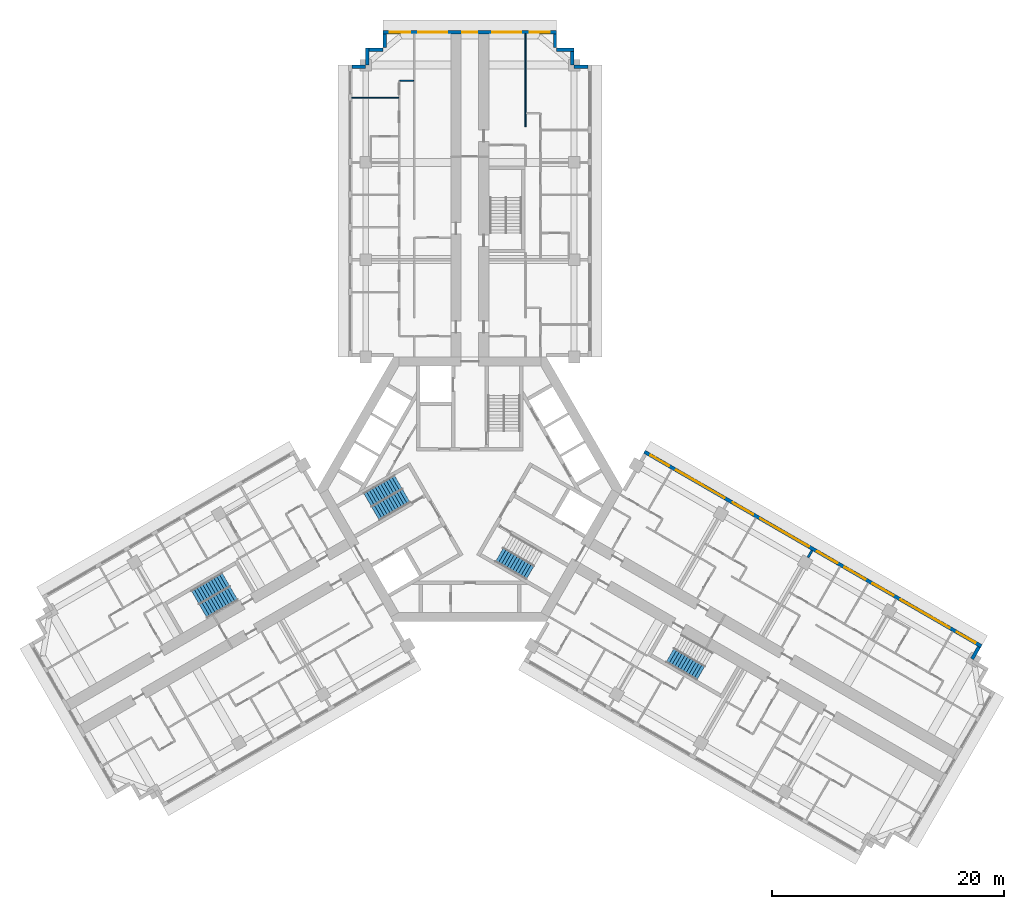
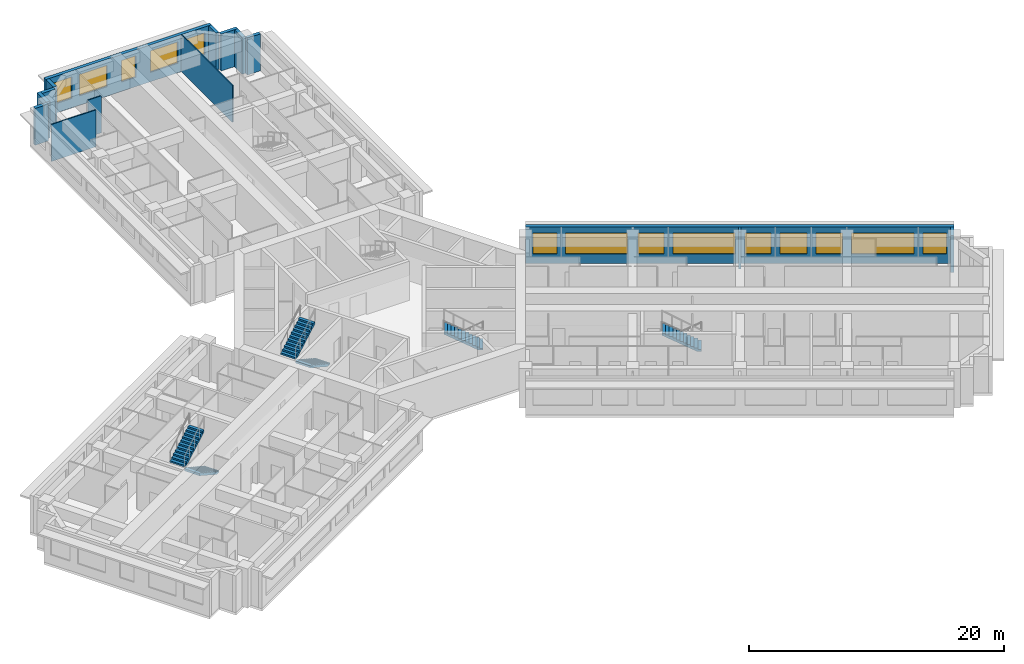
# One storey, part 11 of 13: 15 walls, 14 windows, 6 stair flights, 14 openings, 4 elements without a shape of their own.
"""IFC4 building model written with IfcOpenShell, lengths in metres."""

from ifc_helpers import new_model, si_unit, direction, frame, frame_2d, origin, place, context, subcontext, project, spatial, polyline, rectangle, outline, extrude, material, layer, layer_set, type_object, element, fill, aggregate, save


model = new_model("IFC4")

# Units and contexts
model_context = context("Model", 3, precision=1e-05, world=origin(), true_north=direction((0.0, 1.0)))
body_context = subcontext(model_context, "Body", "Model", "MODEL_VIEW")
ifc_project = project(units=[si_unit("LENGTHUNIT", "METRE"), si_unit("AREAUNIT", "SQUARE_METRE"), si_unit("VOLUMEUNIT", "CUBIC_METRE"), si_unit("PLANEANGLEUNIT", "RADIAN"), si_unit("MASSUNIT", "GRAM", prefix="KILO")], contexts=[model_context])

# Site, building, storey
site_placement = place(None, origin())
site = spatial("IfcSite", under=ifc_project, at=site_placement, CompositionType="ELEMENT")
building_placement = place(site_placement, origin())
building = spatial("IfcBuilding", under=site, at=building_placement, Name="Impinga Residences", CompositionType="ELEMENT")
storey_placement = place(building_placement, frame((0.0, 0.0, 151.0)))
storey = spatial("IfcBuildingStorey", under=building, at=storey_placement, Name="L37", CompositionType="ELEMENT", Elevation=151.0)

# Walls
ifc_material_1 = material(Name="Terracotta rainscreen on blockwork", Category="masonry")
ifc_layer_1 = layer(ifc_material_1, 0.300048828125)
ifc_layer_set_1 = layer_set([ifc_layer_1], Name="EW1 external wall, terracotta rainscreen on blockwork 300")
wall_type_1 = type_object("IfcWallType", Name="EW1 external wall, terracotta rainscreen on blockwork 300", PredefinedType="SOLIDWALL", material=ifc_layer_set_1)
wall_1_placement = place(storey_placement, frame((43.968505859375, -13.607421875, 0.0), z_axis=(0.0, 0.0, 1.0), x_axis=(-0.500029051137, -0.866008630453, 0.0)))
element("IfcWall", 1, at=wall_1_placement, inside=storey, type_object=wall_type_1, Name="External wall EW1 L37", PredefinedType="SOLIDWALL", context=body_context, shape_type="SweptSolid", body=[
    extrude(rectangle(XDim=1.19482421875, YDim=0.300048828125, at=frame_2d((0.597412109375, 0.0))), origin(), (0.0, 0.0, 1.0), 3.530029296875),
])
wall_2_placement = place(storey_placement, frame((-10.199951171875, 36.4814453125, 0.0), z_axis=(0.0, 0.0, 1.0), x_axis=(1.0, 0.0, 0.0)))
element("IfcWall", 2, at=wall_2_placement, inside=storey, type_object=wall_type_1, Name="External wall EW1 L37", PredefinedType="SOLIDWALL", context=body_context, shape_type="SweptSolid", body=[
    extrude(rectangle(XDim=1.199951171875, YDim=0.300048828125, at=frame_2d((0.60009765625, 0.0))), origin(), (0.0, 0.0, 1.0), 3.530029296875),
])
wall_3_placement = place(storey_placement, frame((-8.85009765625, 36.636474609375, 0.0), z_axis=(0.0, 0.0, 1.0), x_axis=(0.0, 1.0, 0.0)))
element("IfcWall", 3, at=wall_3_placement, inside=storey, type_object=wall_type_1, Name="External wall EW1 L37", PredefinedType="SOLIDWALL", context=body_context, shape_type="SweptSolid", body=[
    extrude(rectangle(XDim=1.4951171875, YDim=0.300048828125, at=frame_2d((0.74755859375, 0.0))), origin(), (0.0, 0.0, 1.0), 3.530029296875),
])
wall_4_placement = place(storey_placement, frame((-8.699951171875, 37.9814453125, 0.0), z_axis=(0.0, 0.0, 1.0), x_axis=(1.0, 0.0, 0.0)))
element("IfcWall", 4, at=wall_4_placement, inside=storey, type_object=wall_type_1, Name="External wall EW1 L37", PredefinedType="SOLIDWALL", context=body_context, shape_type="SweptSolid", body=[
    extrude(rectangle(XDim=1.199951171875, YDim=0.300048828125, at=frame_2d((0.60009765625, 0.0))), origin(), (0.0, 0.0, 1.0), 3.530029296875),
])
wall_5_placement = place(storey_placement, frame((-7.35009765625, 38.136474609375, 0.0), z_axis=(0.0, 0.0, 1.0), x_axis=(0.0, 1.0, 0.0)))
element("IfcWall", 5, at=wall_5_placement, inside=storey, type_object=wall_type_1, Name="External wall EW1 L37", PredefinedType="SOLIDWALL", context=body_context, shape_type="SweptSolid", body=[
    extrude(rectangle(XDim=1.195068359375, YDim=0.300048828125, at=frame_2d((0.59765625, 0.0))), origin(), (0.0, 0.0, 1.0), 3.530029296875),
])

# Wall, openings, windows
wall_6_placement = place(storey_placement, frame((-7.5, 39.4814453125, 0.0), z_axis=(0.0, 0.0, 1.0), x_axis=(1.0, 0.0, 0.0)))
wall_6 = element("IfcWall", 6, at=wall_6_placement, inside=storey, type_object=wall_type_1, Name="External wall EW1 L37", PredefinedType="SOLIDWALL", context=body_context, shape_type="SweptSolid", body=[
    extrude(rectangle(XDim=15.0, YDim=0.300048828125, at=frame_2d((7.5, 0.0))), origin(), (0.0, 0.0, 1.0), 3.530029296875),
])
opening_1_placement = place(wall_6_placement, frame((0.60009765625, 0.0, 0.89990234375)))
opening_1 = element("IfcOpeningElement", 7, at=opening_1_placement, cuts=wall_6, Name="Opening W1", PredefinedType="OPENING", context=body_context, shape_type="SweptSolid", body=[
    extrude(rectangle(XDim=1.75, YDim=2.050048828125, at=frame_2d((0.875, 1.02490234375))), frame((0.0, 0.159912109375, 0.0), z_axis=(0.0, -1.0, 0.0), x_axis=(1.0, 0.0, 0.0)), (0.0, 0.0, 1.0), 0.320068359375),
])
opening_2_placement = place(wall_6_placement, frame((3.050048828125, 0.0, 0.89990234375)))
opening_2 = element("IfcOpeningElement", 8, at=opening_2_placement, cuts=wall_6, Name="Opening W2", PredefinedType="OPENING", context=body_context, shape_type="SweptSolid", body=[
    extrude(rectangle(XDim=2.5, YDim=2.050048828125, at=frame_2d((1.25, 1.02490234375))), frame((0.0, 0.159912109375, 0.0), z_axis=(0.0, -1.0, 0.0), x_axis=(1.0, 0.0, 0.0)), (0.0, 0.0, 1.0), 0.320068359375),
])
opening_3_placement = place(wall_6_placement, frame((6.85009765625, 0.0, 0.89990234375)))
opening_3 = element("IfcOpeningElement", 9, at=opening_3_placement, cuts=wall_6, Name="Opening WE1", PredefinedType="OPENING", context=body_context, shape_type="SweptSolid", body=[
    extrude(rectangle(XDim=1.300048828125, YDim=2.050048828125, at=frame_2d((0.64990234375, 1.02490234375))), frame((0.0, 0.159912109375, 0.0), z_axis=(0.0, -1.0, 0.0), x_axis=(1.0, 0.0, 0.0)), (0.0, 0.0, 1.0), 0.320068359375),
])
opening_4_placement = place(wall_6_placement, frame((9.449951171875, 0.0, 0.89990234375)))
opening_4 = element("IfcOpeningElement", 10, at=opening_4_placement, cuts=wall_6, Name="Opening W2", PredefinedType="OPENING", context=body_context, shape_type="SweptSolid", body=[
    extrude(rectangle(XDim=2.5, YDim=2.050048828125, at=frame_2d((1.25, 1.02490234375))), frame((0.0, 0.159912109375, 0.0), z_axis=(0.0, -1.0, 0.0), x_axis=(1.0, 0.0, 0.0)), (0.0, 0.0, 1.0), 0.320068359375),
])
opening_5_placement = place(wall_6_placement, frame((12.64990234375, 0.0, 0.89990234375)))
opening_5 = element("IfcOpeningElement", 11, at=opening_5_placement, cuts=wall_6, Name="Opening W1", PredefinedType="OPENING", context=body_context, shape_type="SweptSolid", body=[
    extrude(rectangle(XDim=1.75, YDim=2.050048828125, at=frame_2d((0.875, 1.02490234375))), frame((0.0, 0.159912109375, 0.0), z_axis=(0.0, -1.0, 0.0), x_axis=(1.0, 0.0, 0.0)), (0.0, 0.0, 1.0), 0.320068359375),
])
ifc_material_2 = material(Name="Aluminium window, clear double glazing", Category="aluminium")
window_type_1 = type_object("IfcWindowType", Name="W1 ribbon window 1750x2050", PartitioningType="SINGLE_PANEL", PredefinedType="WINDOW", material=ifc_material_2)
window_1_placement = place(opening_1_placement, origin())
window_1 = element("IfcWindow", 12, at=window_1_placement, inside=storey, type_object=window_type_1, Name="Window L37", OverallHeight=2.050048828125, OverallWidth=1.75, PartitioningType="SINGLE_PANEL", PredefinedType="WINDOW", context=body_context, shape_type="SweptSolid", body=[
    extrude(rectangle(XDim=1.75, YDim=2.050048828125, at=frame_2d((0.875, 1.02490234375))), frame((0.0, 0.030029296875, 0.0), z_axis=(0.0, -1.0, 0.0), x_axis=(1.0, 0.0, 0.0)), (0.0, 0.0, 1.0), 0.06005859375),
])
fill(opening_1, window_1)
window_2_placement = place(opening_5_placement, origin())
window_2 = element("IfcWindow", 13, at=window_2_placement, inside=storey, type_object=window_type_1, Name="Window L37", OverallHeight=2.050048828125, OverallWidth=1.75, PartitioningType="SINGLE_PANEL", PredefinedType="WINDOW", context=body_context, shape_type="SweptSolid", body=[
    extrude(rectangle(XDim=1.75, YDim=2.050048828125, at=frame_2d((0.875, 1.02490234375))), frame((0.0, 0.030029296875, 0.0), z_axis=(0.0, -1.0, 0.0), x_axis=(1.0, 0.0, 0.0)), (0.0, 0.0, 1.0), 0.06005859375),
])
fill(opening_5, window_2)
window_type_2 = type_object("IfcWindowType", Name="W2 ribbon window 2500x2050", PartitioningType="SINGLE_PANEL", PredefinedType="WINDOW", material=ifc_material_2)
window_3_placement = place(opening_2_placement, origin())
window_3 = element("IfcWindow", 14, at=window_3_placement, inside=storey, type_object=window_type_2, Name="Window L37", OverallHeight=2.050048828125, OverallWidth=2.5, PartitioningType="SINGLE_PANEL", PredefinedType="WINDOW", context=body_context, shape_type="SweptSolid", body=[
    extrude(rectangle(XDim=2.5, YDim=2.050048828125, at=frame_2d((1.25, 1.02490234375))), frame((0.0, 0.030029296875, 0.0), z_axis=(0.0, -1.0, 0.0), x_axis=(1.0, 0.0, 0.0)), (0.0, 0.0, 1.0), 0.06005859375),
])
fill(opening_2, window_3)
window_4_placement = place(opening_4_placement, origin())
window_4 = element("IfcWindow", 15, at=window_4_placement, inside=storey, type_object=window_type_2, Name="Window L37", OverallHeight=2.050048828125, OverallWidth=2.5, PartitioningType="SINGLE_PANEL", PredefinedType="WINDOW", context=body_context, shape_type="SweptSolid", body=[
    extrude(rectangle(XDim=2.5, YDim=2.050048828125, at=frame_2d((1.25, 1.02490234375))), frame((0.0, 0.030029296875, 0.0), z_axis=(0.0, -1.0, 0.0), x_axis=(1.0, 0.0, 0.0)), (0.0, 0.0, 1.0), 0.06005859375),
])
fill(opening_4, window_4)
window_type_3 = type_object("IfcWindowType", Name="WE1 corridor window 1300x2050", PartitioningType="SINGLE_PANEL", PredefinedType="WINDOW", material=ifc_material_2)
window_5_placement = place(opening_3_placement, origin())
window_5 = element("IfcWindow", 16, at=window_5_placement, inside=storey, type_object=window_type_3, Name="Window L37", OverallHeight=2.050048828125, OverallWidth=1.300048828125, PartitioningType="SINGLE_PANEL", PredefinedType="WINDOW", context=body_context, shape_type="SweptSolid", body=[
    extrude(rectangle(XDim=1.300048828125, YDim=2.050048828125, at=frame_2d((0.64990234375, 1.02490234375))), frame((0.0, 0.030029296875, 0.0), z_axis=(0.0, -1.0, 0.0), x_axis=(1.0, 0.0, 0.0)), (0.0, 0.0, 1.0), 0.06005859375),
])
fill(opening_3, window_5)

# Walls
wall_7_placement = place(storey_placement, frame((7.35009765625, 39.33154296875, 0.0), z_axis=(0.0, 0.0, 1.0), x_axis=(0.0, -1.0, 0.0)))
element("IfcWall", 17, at=wall_7_placement, inside=storey, type_object=wall_type_1, Name="External wall EW1 L37", PredefinedType="SOLIDWALL", context=body_context, shape_type="SweptSolid", body=[
    extrude(rectangle(XDim=1.195068359375, YDim=0.300048828125, at=frame_2d((0.59765625, 0.0))), origin(), (0.0, 0.0, 1.0), 3.530029296875),
])
wall_8_placement = place(storey_placement, frame((7.5, 37.9814453125, 0.0), z_axis=(0.0, 0.0, 1.0), x_axis=(1.0, 0.0, 0.0)))
element("IfcWall", 18, at=wall_8_placement, inside=storey, type_object=wall_type_1, Name="External wall EW1 L37", PredefinedType="SOLIDWALL", context=body_context, shape_type="SweptSolid", body=[
    extrude(rectangle(XDim=1.5, YDim=0.300048828125, at=frame_2d((0.75, 0.0))), origin(), (0.0, 0.0, 1.0), 3.530029296875),
])
wall_9_placement = place(storey_placement, frame((8.85009765625, 37.83154296875, 0.0), z_axis=(0.0, 0.0, 1.0), x_axis=(0.0, -1.0, 0.0)))
element("IfcWall", 19, at=wall_9_placement, inside=storey, type_object=wall_type_1, Name="External wall EW1 L37", PredefinedType="SOLIDWALL", context=body_context, shape_type="SweptSolid", body=[
    extrude(rectangle(XDim=1.199951171875, YDim=0.300048828125, at=frame_2d((0.60009765625, 0.0))), origin(), (0.0, 0.0, 1.0), 3.530029296875),
])
wall_10_placement = place(storey_placement, frame((9.0048828125, 36.4814453125, 0.0), z_axis=(0.0, 0.0, 1.0), x_axis=(1.0, 0.0, 0.0)))
element("IfcWall", 20, at=wall_10_placement, inside=storey, type_object=wall_type_1, Name="External wall EW1 L37", PredefinedType="SOLIDWALL", context=body_context, shape_type="SweptSolid", body=[
    extrude(rectangle(XDim=1.195068359375, YDim=0.300048828125, at=frame_2d((0.59765625, 0.0))), origin(), (0.0, 0.0, 1.0), 3.530029296875),
])

# Wall, openings, windows
wall_11_placement = place(storey_placement, frame((15.074951171875, 3.24755859375, 0.0), z_axis=(0.0, 0.0, 1.0), x_axis=(0.866024291668, -0.500001926238, 0.0)))
wall_11 = element("IfcWall", 21, at=wall_11_placement, inside=storey, type_object=wall_type_1, Name="External wall EW1 L37", PredefinedType="SOLIDWALL", context=body_context, shape_type="SweptSolid", body=[
    extrude(rectangle(XDim=33.599853515625, YDim=0.300048828125, at=frame_2d((16.7998046875, 0.0))), origin(), (0.0, 0.0, 1.0), 3.530029296875),
])
opening_6_placement = place(wall_11_placement, frame((0.60009765625, 0.0, 0.89990234375)))
opening_6 = element("IfcOpeningElement", 22, at=opening_6_placement, cuts=wall_11, Name="Opening W15", PredefinedType="OPENING", context=body_context, shape_type="SweptSolid", body=[
    extrude(rectangle(XDim=1.85009765625, YDim=2.050048828125, at=frame_2d((0.925048828125, 1.02490234375))), frame((0.0, 0.159912109375, 0.0), z_axis=(0.0, -1.0, 0.0), x_axis=(1.0, 0.0, 0.0)), (0.0, 0.0, 1.0), 0.320068359375),
])
opening_7_placement = place(wall_11_placement, frame((3.14990234375, 0.0, 0.89990234375)))
opening_7 = element("IfcOpeningElement", 23, at=opening_7_placement, cuts=wall_11, Name="Opening W6", PredefinedType="OPENING", context=body_context, shape_type="SweptSolid", body=[
    extrude(rectangle(XDim=4.85009765625, YDim=2.050048828125, at=frame_2d((2.425048828125, 1.02490234375))), frame((0.0, 0.159912109375, 0.0), z_axis=(0.0, -1.0, 0.0), x_axis=(1.0, 0.0, 0.0)), (0.0, 0.0, 1.0), 0.320068359375),
])
opening_8_placement = place(wall_11_placement, frame((8.800048828125, 0.0, 0.89990234375)))
opening_8 = element("IfcOpeningElement", 24, at=opening_8_placement, cuts=wall_11, Name="Opening W14", PredefinedType="OPENING", context=body_context, shape_type="SweptSolid", body=[
    extrude(rectangle(XDim=2.050048828125, YDim=2.050048828125, at=frame_2d((1.02490234375, 1.02490234375))), frame((0.0, 0.159912109375, 0.0), z_axis=(0.0, -1.0, 0.0), x_axis=(1.0, 0.0, 0.0)), (0.0, 0.0, 1.0), 0.320068359375),
])
opening_9_placement = place(wall_11_placement, frame((11.550048828125, 0.0, 0.89990234375)))
opening_9 = element("IfcOpeningElement", 25, at=opening_9_placement, cuts=wall_11, Name="Opening W6", PredefinedType="OPENING", context=body_context, shape_type="SweptSolid", body=[
    extrude(rectangle(XDim=4.85009765625, YDim=2.050048828125, at=frame_2d((2.425048828125, 1.02490234375))), frame((0.0, 0.159912109375, 0.0), z_axis=(0.0, -1.0, 0.0), x_axis=(1.0, 0.0, 0.0)), (0.0, 0.0, 1.0), 0.320068359375),
])
opening_10_placement = place(wall_11_placement, frame((17.199951171875, 0.0, 0.89990234375)))
opening_10 = element("IfcOpeningElement", 26, at=opening_10_placement, cuts=wall_11, Name="Opening W14", PredefinedType="OPENING", context=body_context, shape_type="SweptSolid", body=[
    extrude(rectangle(XDim=2.050048828125, YDim=2.050048828125, at=frame_2d((1.02490234375, 1.02490234375))), frame((0.0, 0.159912109375, 0.0), z_axis=(0.0, -1.0, 0.0), x_axis=(1.0, 0.0, 0.0)), (0.0, 0.0, 1.0), 0.320068359375),
])
opening_11_placement = place(wall_11_placement, frame((19.949951171875, 0.0, 0.89990234375)))
opening_11 = element("IfcOpeningElement", 27, at=opening_11_placement, cuts=wall_11, Name="Opening W9", PredefinedType="OPENING", context=body_context, shape_type="SweptSolid", body=[
    extrude(rectangle(XDim=2.10009765625, YDim=2.050048828125, at=frame_2d((1.050048828125, 1.02490234375))), frame((0.0, 0.159912109375, 0.0), z_axis=(0.0, -1.0, 0.0), x_axis=(1.0, 0.0, 0.0)), (0.0, 0.0, 1.0), 0.320068359375),
])
opening_12_placement = place(wall_11_placement, frame((22.75, 0.0, 0.89990234375)))
opening_12 = element("IfcOpeningElement", 28, at=opening_12_placement, cuts=wall_11, Name="Opening W9", PredefinedType="OPENING", context=body_context, shape_type="SweptSolid", body=[
    extrude(rectangle(XDim=2.10009765625, YDim=2.050048828125, at=frame_2d((1.050048828125, 1.02490234375))), frame((0.0, 0.159912109375, 0.0), z_axis=(0.0, -1.0, 0.0), x_axis=(1.0, 0.0, 0.0)), (0.0, 0.0, 1.0), 0.320068359375),
])
opening_13_placement = place(wall_11_placement, frame((25.550048828125, 0.0, 0.89990234375)))
opening_13 = element("IfcOpeningElement", 29, at=opening_13_placement, cuts=wall_11, Name="Opening W16", PredefinedType="OPENING", context=body_context, shape_type="SweptSolid", body=[
    extrude(rectangle(XDim=4.89990234375, YDim=2.050048828125, at=frame_2d((2.449951171875, 1.02490234375))), frame((0.0, 0.159912109375, 0.0), z_axis=(0.0, -1.0, 0.0), x_axis=(1.0, 0.0, 0.0)), (0.0, 0.0, 1.0), 0.320068359375),
])
opening_14_placement = place(wall_11_placement, frame((31.14990234375, 0.0, 0.89990234375)))
opening_14 = element("IfcOpeningElement", 30, at=opening_14_placement, cuts=wall_11, Name="Opening W15", PredefinedType="OPENING", context=body_context, shape_type="SweptSolid", body=[
    extrude(rectangle(XDim=1.85009765625, YDim=2.050048828125, at=frame_2d((0.925048828125, 1.02490234375))), frame((0.0, 0.159912109375, 0.0), z_axis=(0.0, -1.0, 0.0), x_axis=(1.0, 0.0, 0.0)), (0.0, 0.0, 1.0), 0.320068359375),
])
window_type_4 = type_object("IfcWindowType", Name="W14 ribbon window 2050x2050", PartitioningType="SINGLE_PANEL", PredefinedType="WINDOW", material=ifc_material_2)
window_6_placement = place(opening_8_placement, origin())
window_6 = element("IfcWindow", 31, at=window_6_placement, inside=storey, type_object=window_type_4, Name="Window L37", OverallHeight=2.050048828125, OverallWidth=2.050048828125, PartitioningType="SINGLE_PANEL", PredefinedType="WINDOW", context=body_context, shape_type="SweptSolid", body=[
    extrude(rectangle(XDim=2.050048828125, YDim=2.050048828125, at=frame_2d((1.02490234375, 1.02490234375))), frame((0.0, 0.030029296875, 0.0), z_axis=(0.0, -1.0, 0.0), x_axis=(1.0, 0.0, 0.0)), (0.0, 0.0, 1.0), 0.06005859375),
])
fill(opening_8, window_6)
window_7_placement = place(opening_10_placement, origin())
window_7 = element("IfcWindow", 32, at=window_7_placement, inside=storey, type_object=window_type_4, Name="Window L37", OverallHeight=2.050048828125, OverallWidth=2.050048828125, PartitioningType="SINGLE_PANEL", PredefinedType="WINDOW", context=body_context, shape_type="SweptSolid", body=[
    extrude(rectangle(XDim=2.050048828125, YDim=2.050048828125, at=frame_2d((1.02490234375, 1.02490234375))), frame((0.0, 0.030029296875, 0.0), z_axis=(0.0, -1.0, 0.0), x_axis=(1.0, 0.0, 0.0)), (0.0, 0.0, 1.0), 0.06005859375),
])
fill(opening_10, window_7)
window_type_5 = type_object("IfcWindowType", Name="W15 ribbon window 1850x2050", PartitioningType="SINGLE_PANEL", PredefinedType="WINDOW", material=ifc_material_2)
window_8_placement = place(opening_6_placement, origin())
window_8 = element("IfcWindow", 33, at=window_8_placement, inside=storey, type_object=window_type_5, Name="Window L37", OverallHeight=2.050048828125, OverallWidth=1.85009765625, PartitioningType="SINGLE_PANEL", PredefinedType="WINDOW", context=body_context, shape_type="SweptSolid", body=[
    extrude(rectangle(XDim=1.85009765625, YDim=2.050048828125, at=frame_2d((0.925048828125, 1.02490234375))), frame((0.0, 0.030029296875, 0.0), z_axis=(0.0, -1.0, 0.0), x_axis=(1.0, 0.0, 0.0)), (0.0, 0.0, 1.0), 0.06005859375),
])
fill(opening_6, window_8)
window_9_placement = place(opening_14_placement, origin())
window_9 = element("IfcWindow", 34, at=window_9_placement, inside=storey, type_object=window_type_5, Name="Window L37", OverallHeight=2.050048828125, OverallWidth=1.85009765625, PartitioningType="SINGLE_PANEL", PredefinedType="WINDOW", context=body_context, shape_type="SweptSolid", body=[
    extrude(rectangle(XDim=1.85009765625, YDim=2.050048828125, at=frame_2d((0.925048828125, 1.02490234375))), frame((0.0, 0.030029296875, 0.0), z_axis=(0.0, -1.0, 0.0), x_axis=(1.0, 0.0, 0.0)), (0.0, 0.0, 1.0), 0.06005859375),
])
fill(opening_14, window_9)
window_type_6 = type_object("IfcWindowType", Name="W16 ribbon window 4900x2050", PartitioningType="SINGLE_PANEL", PredefinedType="WINDOW", material=ifc_material_2)
window_10_placement = place(opening_13_placement, origin())
window_10 = element("IfcWindow", 35, at=window_10_placement, inside=storey, type_object=window_type_6, Name="Window L37", OverallHeight=2.050048828125, OverallWidth=4.89990234375, PartitioningType="SINGLE_PANEL", PredefinedType="WINDOW", context=body_context, shape_type="SweptSolid", body=[
    extrude(rectangle(XDim=4.89990234375, YDim=2.050048828125, at=frame_2d((2.449951171875, 1.02490234375))), frame((0.0, 0.030029296875, 0.0), z_axis=(0.0, -1.0, 0.0), x_axis=(1.0, 0.0, 0.0)), (0.0, 0.0, 1.0), 0.06005859375),
])
fill(opening_13, window_10)
window_type_7 = type_object("IfcWindowType", Name="W6 ribbon window 4850x2050", PartitioningType="SINGLE_PANEL", PredefinedType="WINDOW", material=ifc_material_2)
window_11_placement = place(opening_7_placement, origin())
window_11 = element("IfcWindow", 36, at=window_11_placement, inside=storey, type_object=window_type_7, Name="Window L37", OverallHeight=2.050048828125, OverallWidth=4.85009765625, PartitioningType="SINGLE_PANEL", PredefinedType="WINDOW", context=body_context, shape_type="SweptSolid", body=[
    extrude(rectangle(XDim=4.85009765625, YDim=2.050048828125, at=frame_2d((2.425048828125, 1.02490234375))), frame((0.0, 0.030029296875, 0.0), z_axis=(0.0, -1.0, 0.0), x_axis=(1.0, 0.0, 0.0)), (0.0, 0.0, 1.0), 0.06005859375),
])
fill(opening_7, window_11)
window_12_placement = place(opening_9_placement, origin())
window_12 = element("IfcWindow", 37, at=window_12_placement, inside=storey, type_object=window_type_7, Name="Window L37", OverallHeight=2.050048828125, OverallWidth=4.85009765625, PartitioningType="SINGLE_PANEL", PredefinedType="WINDOW", context=body_context, shape_type="SweptSolid", body=[
    extrude(rectangle(XDim=4.85009765625, YDim=2.050048828125, at=frame_2d((2.425048828125, 1.02490234375))), frame((0.0, 0.030029296875, 0.0), z_axis=(0.0, -1.0, 0.0), x_axis=(1.0, 0.0, 0.0)), (0.0, 0.0, 1.0), 0.06005859375),
])
fill(opening_9, window_12)
window_type_8 = type_object("IfcWindowType", Name="W9 ribbon window 2100x2050", PartitioningType="SINGLE_PANEL", PredefinedType="WINDOW", material=ifc_material_2)
window_13_placement = place(opening_11_placement, origin())
window_13 = element("IfcWindow", 38, at=window_13_placement, inside=storey, type_object=window_type_8, Name="Window L37", OverallHeight=2.050048828125, OverallWidth=2.10009765625, PartitioningType="SINGLE_PANEL", PredefinedType="WINDOW", context=body_context, shape_type="SweptSolid", body=[
    extrude(rectangle(XDim=2.10009765625, YDim=2.050048828125, at=frame_2d((1.050048828125, 1.02490234375))), frame((0.0, 0.030029296875, 0.0), z_axis=(0.0, -1.0, 0.0), x_axis=(1.0, 0.0, 0.0)), (0.0, 0.0, 1.0), 0.06005859375),
])
fill(opening_11, window_13)
window_14_placement = place(opening_12_placement, origin())
window_14 = element("IfcWindow", 39, at=window_14_placement, inside=storey, type_object=window_type_8, Name="Window L37", OverallHeight=2.050048828125, OverallWidth=2.10009765625, PartitioningType="SINGLE_PANEL", PredefinedType="WINDOW", context=body_context, shape_type="SweptSolid", body=[
    extrude(rectangle(XDim=2.10009765625, YDim=2.050048828125, at=frame_2d((1.050048828125, 1.02490234375))), frame((0.0, 0.030029296875, 0.0), z_axis=(0.0, -1.0, 0.0), x_axis=(1.0, 0.0, 0.0)), (0.0, 0.0, 1.0), 0.06005859375),
])
fill(opening_12, window_14)

# Walls
ifc_material_3 = material(Name="Gypsum board on steel studs", Category="steel")
ifc_layer_2 = layer(ifc_material_3, 0.10009765625)
ifc_layer_set_2 = layer_set([ifc_layer_2], Name="Gypsum board on steel studs")
wall_type_2 = type_object("IfcWallType", Name="IP1 partition 100", PredefinedType="PARTITIONING", material=ifc_layer_set_2)
wall_12_placement = place(storey_placement, frame((-4.85009765625, 35.281494140625, 0.0), z_axis=(0.0, 0.0, 1.0), x_axis=(-1.0, 0.0, 0.0)))
element("IfcWall", 40, at=wall_12_placement, inside=storey, type_object=wall_type_2, Name="Partition L37-NA2:SE1", PredefinedType="PARTITIONING", context=body_context, shape_type="SweptSolid", body=[
    extrude(rectangle(XDim=1.199951171875, YDim=0.10009765625, at=frame_2d((0.60009765625, 0.0))), origin(), (0.0, 0.0, 1.0), 3.530029296875),
])
wall_13_placement = place(storey_placement, frame((-6.14990234375, 33.83154296875, 0.0), z_axis=(0.0, 0.0, 1.0), x_axis=(-1.0, 0.0, 0.0)))
element("IfcWall", 41, at=wall_13_placement, inside=storey, type_object=wall_type_2, Name="Partition L37-NA2:OB4", PredefinedType="PARTITIONING", context=body_context, shape_type="SweptSolid", body=[
    extrude(rectangle(XDim=4.050048828125, YDim=0.10009765625, at=frame_2d((2.02490234375, 0.0))), origin(), (0.0, 0.0, 1.0), 3.530029296875),
])
wall_14_placement = place(storey_placement, frame((4.800048828125, 31.33154296875, 0.0), z_axis=(0.0, 0.0, 1.0), x_axis=(0.0, 1.0, 0.0)))
element("IfcWall", 42, at=wall_14_placement, inside=storey, type_object=wall_type_2, Name="Partition L37-NF2:DIV2", PredefinedType="PARTITIONING", context=body_context, shape_type="SweptSolid", body=[
    extrude(rectangle(XDim=8.0, YDim=0.10009765625, at=frame_2d((4.0, 0.0))), origin(), (0.0, 0.0, 1.0), 3.530029296875),
])
ifc_material_4 = material(Name="Concrete blockwork", Category="masonry")
ifc_layer_3 = layer(ifc_material_4, 0.199951171875)
ifc_layer_set_3 = layer_set([ifc_layer_3], Name="PW1 party wall between apartments 200")
wall_type_3 = type_object("IfcWallType", Name="PW1 party wall between apartments 200", PredefinedType="SOLIDWALL", material=ifc_layer_set_3)
wall_15_placement = place(storey_placement, frame((29.19921875, -5.888427734375, 0.0), z_axis=(0.0, 0.0, 1.0), x_axis=(0.500114896893, 0.865959057869, 0.0)))
element("IfcWall", 43, at=wall_15_placement, inside=storey, type_object=wall_type_3, Name="Party wall between apartments L37-EA2:PARTYb", PredefinedType="SOLIDWALL", context=body_context, shape_type="SweptSolid", body=[
    extrude(rectangle(XDim=0.699951171875, YDim=0.199951171875, at=frame_2d((0.35009765625, 0.0))), origin(), (0.0, 0.0, 1.0), 3.530029296875),
])

# Stair, stair flights
ifc_material_5 = material(Name="Concrete C40/50", Category="concrete")
stair_type_1 = type_object("IfcStairType", Name="STR core stair 3750 storey, 24 risers", PredefinedType="HALF_TURN_STAIR", material=ifc_material_5)
stair_1_placement = place(storey_placement, origin())
stair_1 = element("IfcStair", 44, at=stair_1_placement, inside=storey, type_object=stair_type_1, Name="Stair ST2 L37", PredefinedType="HALF_TURN_STAIR")
stair_flight_type = type_object("IfcStairFlightType", Name="SF 12 risers of 156", PredefinedType="STRAIGHT", material=ifc_material_5)
stair_flight_1_placement = place(storey_placement, frame((-5.49365234375, -0.544677734375, 0.0), z_axis=(0.0, 0.0, 1.0), x_axis=(-0.866025403784, -0.5, 0.0)))
stair_flight_1 = element("IfcStairFlight", 45, at=stair_flight_1_placement, type_object=stair_flight_type, Name="ST2 flight 1", NumberOfRisers=12, NumberOfTreads=11, PredefinedType="STRAIGHT", RiserHeight=0.15625, TreadLength=0.28, context=body_context, shape_type="SweptSolid", body=[
    extrude(outline(polyline([(0.0, 0.0), (0.0, 0.15625), (0.280029296875, 0.15625), (0.280029296875, 0.3125), (0.56005859375, 0.3125), (0.56005859375, 0.46875), (0.840087890625, 0.46875), (0.840087890625, 0.625), (1.1201171875, 0.625), (1.1201171875, 0.78125), (1.39990234375, 0.78125), (1.39990234375, 0.9375), (1.679931640625, 0.9375), (1.679931640625, 1.09375), (1.9599609375, 1.09375), (1.9599609375, 1.25), (2.239990234375, 1.25), (2.239990234375, 1.40625), (2.52001953125, 1.40625), (2.52001953125, 1.5625), (2.800048828125, 1.5625), (2.800048828125, 1.71875), (3.080078125, 1.71875), (3.080078125, 1.875), (3.080078125, 1.5126953125), (0.369140625, 0.0), (0.0, 0.0)])), frame((0.0, 0.675048828125, 0.0), z_axis=(0.0, -1.0, 0.0), x_axis=(1.0, 0.0, 0.0)), (0.0, 0.0, 1.0), 1.35009765625),
])
stair_flight_2_placement = place(storey_placement, frame((-8.8359375, -0.915771484375, 1.875), z_axis=(0.0, 0.0, 1.0), x_axis=(0.866025403784, 0.5, 0.0)))
stair_flight_2 = element("IfcStairFlight", 46, at=stair_flight_2_placement, type_object=stair_flight_type, Name="ST2 flight 2", NumberOfRisers=12, NumberOfTreads=11, PredefinedType="STRAIGHT", RiserHeight=0.15625, TreadLength=0.28, context=body_context, shape_type="SweptSolid", body=[
    extrude(outline(polyline([(0.0, 0.0), (0.0, 0.15625), (0.280029296875, 0.15625), (0.280029296875, 0.3125), (0.56005859375, 0.3125), (0.56005859375, 0.46875), (0.840087890625, 0.46875), (0.840087890625, 0.625), (1.1201171875, 0.625), (1.1201171875, 0.78125), (1.39990234375, 0.78125), (1.39990234375, 0.9375), (1.679931640625, 0.9375), (1.679931640625, 1.09375), (1.9599609375, 1.09375), (1.9599609375, 1.25), (2.239990234375, 1.25), (2.239990234375, 1.40625), (2.52001953125, 1.40625), (2.52001953125, 1.5625), (2.800048828125, 1.5625), (2.800048828125, 1.71875), (3.080078125, 1.71875), (3.080078125, 1.875), (3.080078125, 1.5126953125), (0.369140625, 0.0), (0.0, 0.0)])), frame((0.0, 0.675048828125, 0.0), z_axis=(0.0, -1.0, 0.0), x_axis=(1.0, 0.0, 0.0)), (0.0, 0.0, 1.0), 1.35009765625),
])
aggregate(stair_1, [stair_flight_1, stair_flight_2])

# Stair, stair flight
stair_2_placement = place(storey_placement, origin())
stair_2 = element("IfcStair", 47, at=stair_2_placement, inside=storey, type_object=stair_type_1, Name="Stair ST3 L37", PredefinedType="HALF_TURN_STAIR")
stair_flight_3_placement = place(storey_placement, frame((5.2109375, -7.1943359375, 1.875), z_axis=(0.0, 0.0, 1.0), x_axis=(-0.866025403784, 0.5, 0.0)))
stair_flight_3 = element("IfcStairFlight", 48, at=stair_flight_3_placement, type_object=stair_flight_type, Name="ST3 flight 2", NumberOfRisers=12, NumberOfTreads=11, PredefinedType="STRAIGHT", RiserHeight=0.15625, TreadLength=0.28, context=body_context, shape_type="SweptSolid", body=[
    extrude(outline(polyline([(0.0, 0.0), (0.0, 0.15625), (0.280029296875, 0.15625), (0.280029296875, 0.3125), (0.56005859375, 0.3125), (0.56005859375, 0.46875), (0.840087890625, 0.46875), (0.840087890625, 0.625), (1.1201171875, 0.625), (1.1201171875, 0.78125), (1.39990234375, 0.78125), (1.39990234375, 0.9375), (1.679931640625, 0.9375), (1.679931640625, 1.09375), (1.9599609375, 1.09375), (1.9599609375, 1.25), (2.239990234375, 1.25), (2.239990234375, 1.40625), (2.52001953125, 1.40625), (2.52001953125, 1.5625), (2.800048828125, 1.5625), (2.800048828125, 1.71875), (3.080078125, 1.71875), (3.080078125, 1.875), (3.080078125, 1.5126953125), (0.369140625, 0.0), (0.0, 0.0)])), frame((0.0, 0.675048828125, 0.0), z_axis=(0.0, -1.0, 0.0), x_axis=(1.0, 0.0, 0.0)), (0.0, 0.0, 1.0), 1.35009765625),
])
aggregate(stair_2, [stair_flight_3])

# Stair, stair flights
stair_type_2 = type_object("IfcStairType", Name="STR wing stair 3750 storey, 24 risers", PredefinedType="HALF_TURN_STAIR", material=ifc_material_5)
stair_3_placement = place(storey_placement, origin())
stair_3 = element("IfcStair", 49, at=stair_3_placement, inside=storey, type_object=stair_type_2, Name="Stair WS2 L37", PredefinedType="HALF_TURN_STAIR")
stair_flight_4_placement = place(storey_placement, frame((-20.37890625, -8.965576171875, 0.0), z_axis=(0.0, 0.0, 1.0), x_axis=(-0.866025403784, -0.5, 0.0)))
stair_flight_4 = element("IfcStairFlight", 50, at=stair_flight_4_placement, type_object=stair_flight_type, Name="WS2 flight 1", NumberOfRisers=12, NumberOfTreads=11, PredefinedType="STRAIGHT", RiserHeight=0.15625, TreadLength=0.28, context=body_context, shape_type="SweptSolid", body=[
    extrude(outline(polyline([(0.0, 0.0), (0.0, 0.15625), (0.280029296875, 0.15625), (0.280029296875, 0.3125), (0.56005859375, 0.3125), (0.56005859375, 0.46875), (0.840087890625, 0.46875), (0.840087890625, 0.625), (1.1201171875, 0.625), (1.1201171875, 0.78125), (1.39990234375, 0.78125), (1.39990234375, 0.9375), (1.679931640625, 0.9375), (1.679931640625, 1.09375), (1.9599609375, 1.09375), (1.9599609375, 1.25), (2.239990234375, 1.25), (2.239990234375, 1.40625), (2.52001953125, 1.40625), (2.52001953125, 1.5625), (2.800048828125, 1.5625), (2.800048828125, 1.71875), (3.080078125, 1.71875), (3.080078125, 1.875), (3.080078125, 1.5126953125), (0.369140625, 0.0), (0.0, 0.0)])), frame((0.0, 0.675048828125, 0.0), z_axis=(0.0, -1.0, 0.0), x_axis=(1.0, 0.0, 0.0)), (0.0, 0.0, 1.0), 1.35009765625),
])
stair_flight_5_placement = place(storey_placement, frame((-23.721435546875, -9.33642578125, 1.875), z_axis=(0.0, 0.0, 1.0), x_axis=(0.866025403784, 0.5, 0.0)))
stair_flight_5 = element("IfcStairFlight", 51, at=stair_flight_5_placement, type_object=stair_flight_type, Name="WS2 flight 2", NumberOfRisers=12, NumberOfTreads=11, PredefinedType="STRAIGHT", RiserHeight=0.15625, TreadLength=0.28, context=body_context, shape_type="SweptSolid", body=[
    extrude(outline(polyline([(0.0, 0.0), (0.0, 0.15625), (0.280029296875, 0.15625), (0.280029296875, 0.3125), (0.56005859375, 0.3125), (0.56005859375, 0.46875), (0.840087890625, 0.46875), (0.840087890625, 0.625), (1.1201171875, 0.625), (1.1201171875, 0.78125), (1.39990234375, 0.78125), (1.39990234375, 0.9375), (1.679931640625, 0.9375), (1.679931640625, 1.09375), (1.9599609375, 1.09375), (1.9599609375, 1.25), (2.239990234375, 1.25), (2.239990234375, 1.40625), (2.52001953125, 1.40625), (2.52001953125, 1.5625), (2.800048828125, 1.5625), (2.800048828125, 1.71875), (3.080078125, 1.71875), (3.080078125, 1.875), (3.080078125, 1.5126953125), (0.369140625, 0.0), (0.0, 0.0)])), frame((0.0, 0.675048828125, 0.0), z_axis=(0.0, -1.0, 0.0), x_axis=(1.0, 0.0, 0.0)), (0.0, 0.0, 1.0), 1.35009765625),
])
aggregate(stair_3, [stair_flight_4, stair_flight_5])

# Stair, stair flight
stair_4_placement = place(storey_placement, origin())
stair_4 = element("IfcStair", 52, at=stair_4_placement, inside=storey, type_object=stair_type_2, Name="Stair WS3 L37", PredefinedType="HALF_TURN_STAIR")
stair_flight_6_placement = place(storey_placement, frame((19.9462890625, -15.875, 1.875), z_axis=(0.0, 0.0, 1.0), x_axis=(-0.866025403784, 0.5, 0.0)))
stair_flight_6 = element("IfcStairFlight", 53, at=stair_flight_6_placement, type_object=stair_flight_type, Name="WS3 flight 2", NumberOfRisers=12, NumberOfTreads=11, PredefinedType="STRAIGHT", RiserHeight=0.15625, TreadLength=0.28, context=body_context, shape_type="SweptSolid", body=[
    extrude(outline(polyline([(0.0, 0.0), (0.0, 0.15625), (0.280029296875, 0.15625), (0.280029296875, 0.3125), (0.56005859375, 0.3125), (0.56005859375, 0.46875), (0.840087890625, 0.46875), (0.840087890625, 0.625), (1.1201171875, 0.625), (1.1201171875, 0.78125), (1.39990234375, 0.78125), (1.39990234375, 0.9375), (1.679931640625, 0.9375), (1.679931640625, 1.09375), (1.9599609375, 1.09375), (1.9599609375, 1.25), (2.239990234375, 1.25), (2.239990234375, 1.40625), (2.52001953125, 1.40625), (2.52001953125, 1.5625), (2.800048828125, 1.5625), (2.800048828125, 1.71875), (3.080078125, 1.71875), (3.080078125, 1.875), (3.080078125, 1.5126953125), (0.369140625, 0.0), (0.0, 0.0)])), frame((0.0, 0.675048828125, 0.0), z_axis=(0.0, -1.0, 0.0), x_axis=(1.0, 0.0, 0.0)), (0.0, 0.0, 1.0), 1.35009765625),
])
aggregate(stair_4, [stair_flight_6])

save(model, "model.ifc")
